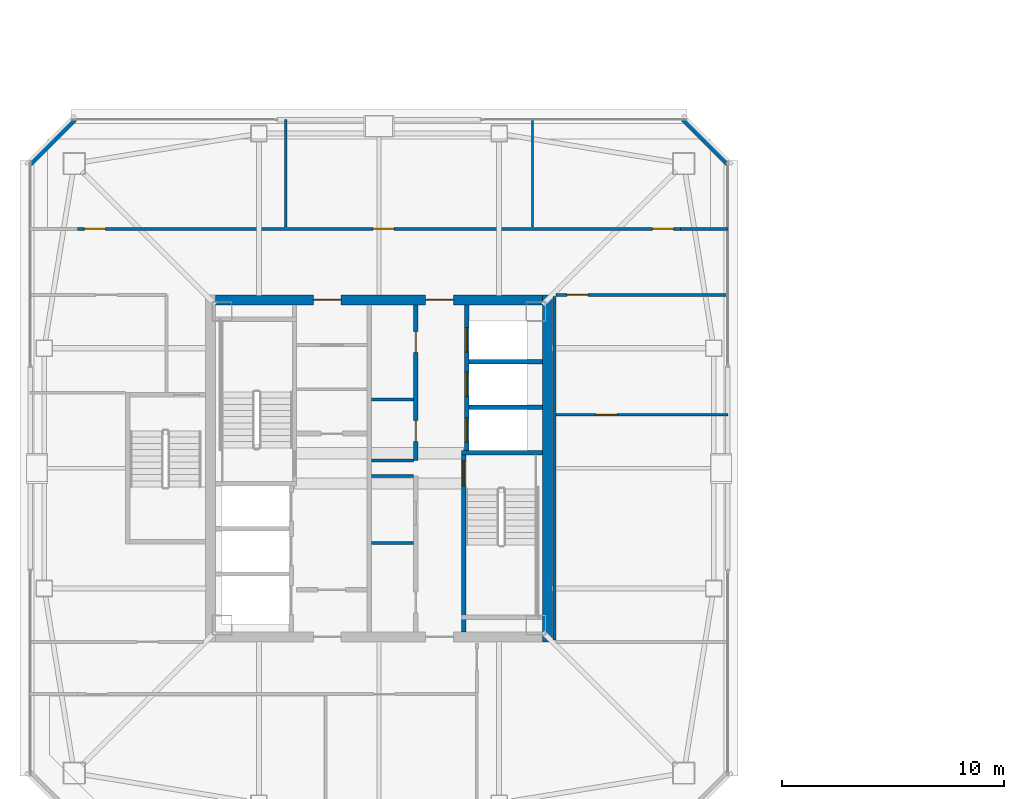
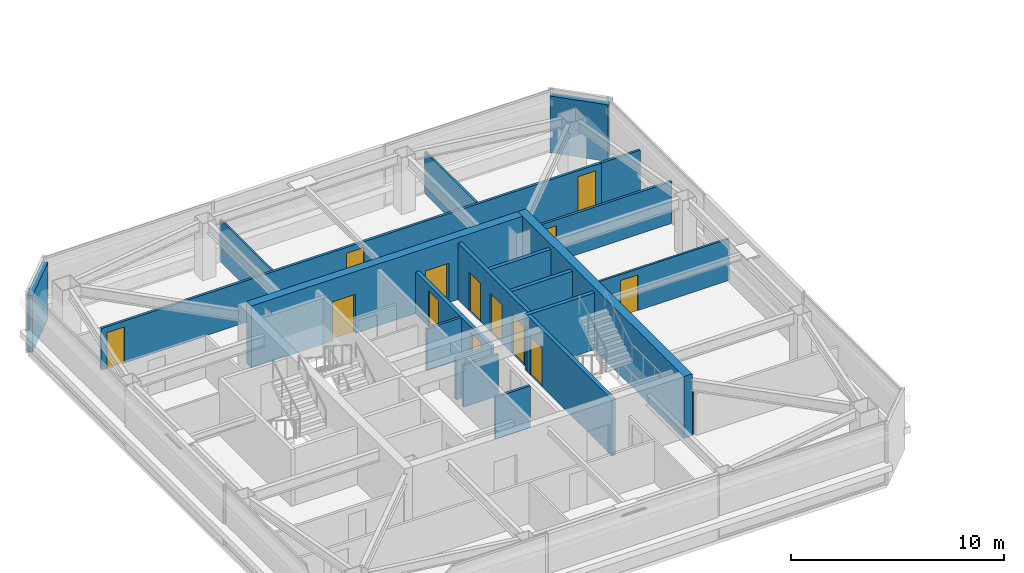
# One storey, part 30 of 39: 21 walls, 13 doors, 13 openings.
"""IFC4 building model written with IfcOpenShell, lengths in metres."""

from ifc_helpers import new_model, si_unit, direction, frame, frame_2d, origin, place, context, subcontext, project, spatial, rectangle, extrude, material, layer, layer_set, type_object, element, fill, save


model = new_model("IFC4")

# Units and contexts
model_context = context("Model", 3, precision=1e-05, world=origin(), true_north=direction((0.0, 1.0)))
body_context = subcontext(model_context, "Body", "Model", "MODEL_VIEW")
ifc_project = project(units=[si_unit("LENGTHUNIT", "METRE"), si_unit("AREAUNIT", "SQUARE_METRE"), si_unit("VOLUMEUNIT", "CUBIC_METRE"), si_unit("PLANEANGLEUNIT", "RADIAN"), si_unit("MASSUNIT", "GRAM", prefix="KILO")], contexts=[model_context])

# Site, building, storey
site_placement = place(None, origin())
site = spatial("IfcSite", under=ifc_project, at=site_placement, CompositionType="ELEMENT")
building_placement = place(site_placement, origin())
building = spatial("IfcBuilding", under=site, at=building_placement, Name="Tashvorn Skyway Center", CompositionType="ELEMENT")
storey_placement = place(building_placement, frame((0.0, 0.0, 243.25)))
storey = spatial("IfcBuildingStorey", under=building, at=storey_placement, Name="L66", CompositionType="ELEMENT", Elevation=243.25)

# Wall
ifc_material_1 = material(Name="Concrete C50/60", Category="concrete")
ifc_layer_1 = layer(ifc_material_1, 0.449951171875)
ifc_layer_set_1 = layer_set([ifc_layer_1], Name="Concrete C50/60")
wall_type_1 = type_object("IfcWallType", Name="WALL-CORE-450", PredefinedType="SHEAR", material=ifc_layer_set_1)
wall_1_placement = place(storey_placement, frame((49.574951171875, 39.800048828125, 0.0), z_axis=(0.0, 0.0, 1.0), x_axis=(0.0, -1.0, 0.0)))
element("IfcWall", 1, at=wall_1_placement, inside=storey, type_object=wall_type_1, Name="Tower 1 L66 East Core Shear Wall", PredefinedType="SHEAR", context=body_context, shape_type="SweptSolid", body=[
    extrude(rectangle(XDim=15.60009765625, YDim=0.449951171875, at=frame_2d((7.800048828125, 0.0))), origin(), (0.0, 0.0, 1.0), 3.550048828125),
])

# Wall, openings, doors
wall_2_placement = place(storey_placement, frame((34.64990234375, 39.574951171875, 0.0), z_axis=(0.0, 0.0, 1.0), x_axis=(1.0, 0.0, 0.0)))
wall_2 = element("IfcWall", 2, at=wall_2_placement, inside=storey, type_object=wall_type_1, Name="Tower 1 L66 North Core Shear Wall", PredefinedType="SHEAR", context=body_context, shape_type="SweptSolid", body=[
    extrude(rectangle(XDim=14.7001953125, YDim=0.449951171875, at=frame_2d((7.35009765625, 0.0))), origin(), (0.0, 0.0, 1.0), 3.550048828125),
])
opening_1_placement = place(wall_2_placement, frame((4.39990234375, 0.0, 0.0)))
opening_1 = element("IfcOpeningElement", 3, at=opening_1_placement, cuts=wall_2, Name="Opening D-FFL-1250", PredefinedType="OPENING", context=body_context, shape_type="SweptSolid", body=[
    extrude(rectangle(XDim=1.25, YDim=2.25, at=frame_2d((0.625, 1.125))), frame((0.0, 0.23486328125, 0.0), z_axis=(0.0, -1.0, 0.0), x_axis=(1.0, 0.0, 0.0)), (0.0, 0.0, 1.0), 0.469970703125),
])
opening_2_placement = place(wall_2_placement, frame((9.449951171875, 0.0, 0.0)))
opening_2 = element("IfcOpeningElement", 4, at=opening_2_placement, cuts=wall_2, Name="Opening D-FFL-1250", PredefinedType="OPENING", context=body_context, shape_type="SweptSolid", body=[
    extrude(rectangle(XDim=1.25, YDim=2.25, at=frame_2d((0.625, 1.125))), frame((0.0, 0.23486328125, 0.0), z_axis=(0.0, -1.0, 0.0), x_axis=(1.0, 0.0, 0.0)), (0.0, 0.0, 1.0), 0.469970703125),
])
ifc_material_2 = material(Name="Hollow galvanized steel fire door assembly", Category="steel")
door_type_1 = type_object("IfcDoorType", Name="DOOR-FFL-1250", OperationType="NOTDEFINED", PredefinedType="DOOR", material=ifc_material_2)
door_1_placement = place(opening_1_placement, origin())
door_1 = element("IfcDoor", 5, at=door_1_placement, inside=storey, type_object=door_type_1, Name="Tower 1 L66 Core North Service Lobby Door", OperationType="SINGLE_SWING_LEFT", OverallHeight=2.25, OverallWidth=1.25, PredefinedType="DOOR", context=body_context, shape_type="SweptSolid", body=[
    extrude(rectangle(XDim=1.25, YDim=2.25, at=frame_2d((0.625, 1.125))), frame((0.0, 0.02490234375, 0.0), z_axis=(0.0, -1.0, 0.0), x_axis=(1.0, 0.0, 0.0)), (0.0, 0.0, 1.0), 0.050048828125),
])
fill(opening_1, door_1)
door_2_placement = place(opening_2_placement, origin())
door_2 = element("IfcDoor", 6, at=door_2_placement, inside=storey, type_object=door_type_1, Name="Tower 1 L66 Core North Lift Lobby Door", OperationType="SINGLE_SWING_RIGHT", OverallHeight=2.25, OverallWidth=1.25, PredefinedType="DOOR", context=body_context, shape_type="SweptSolid", body=[
    extrude(rectangle(XDim=1.25, YDim=2.25, at=frame_2d((0.625, 1.125))), frame((0.0, 0.02490234375, 0.0), z_axis=(0.0, -1.0, 0.0), x_axis=(1.0, 0.0, 0.0)), (0.0, 0.0, 1.0), 0.050048828125),
])
fill(opening_2, door_2)

# Walls
ifc_material_3 = material(Name="Precast concrete C40/50", Category="concrete")
ifc_layer_2 = layer(ifc_material_3, 0.280029296875)
ifc_layer_set_2 = layer_set([ifc_layer_2], Name="Precast concrete C40/50")
wall_type_2 = type_object("IfcWallType", Name="WALL-EXT-280", PredefinedType="SOLIDWALL", material=ifc_layer_set_2)
for number, where, z_axis, x_axis, name in (
    (7, (26.300048828125, 45.699951171875, 0.0), (0.0, 0.0, 1.0), (0.707106781187, 0.707106781187, 0.0), "Tower 1 L66 NW Precast Chamfer Wall"),
    (8, (55.699951171875, 47.699951171875, 0.0), (0.0, 0.0, 1.0), (0.707106781187, -0.707106781187, 0.0), "Tower 1 L66 NE Precast Chamfer Wall"),
):
    element("IfcWall", number, at=place(storey_placement, frame(where, z_axis=z_axis, x_axis=x_axis)), inside=storey, type_object=wall_type_2, Name=name, PredefinedType="SOLIDWALL", context=body_context, shape_type="SweptSolid", body=[
        extrude(rectangle(XDim=2.828369140625, YDim=0.280029296875, at=frame_2d((1.4140625, 0.0))), origin(), (0.0, 0.0, 1.0), 3.25),
    ])
ifc_material_4 = material(Name="Gypsum board on cold-formed steel stud framing", Category="steel")
ifc_layer_3 = layer(ifc_material_4, 0.110107421875)
ifc_layer_set_3 = layer_set([ifc_layer_3], Name="Gypsum board on cold-formed steel stud framing")
wall_type_3 = type_object("IfcWallType", Name="WALL-PART-110", PredefinedType="PARTITIONING", material=ifc_layer_set_3)
for number, where, z_axis, x_axis, name in (
    (9, (37.800048828125, 42.85009765625, 0.0), (0.0, 0.0, 1.0), (0.0, 1.0, 0.0), "Tower 1 L66 North Suite Partition 1"),
    (10, (48.89990234375, 42.85009765625, 0.0), (0.0, 0.0, 1.0), (0.0, 1.0, 0.0), "Tower 1 L66 North Suite Partition 2"),
):
    element("IfcWall", number, at=place(storey_placement, frame(where, z_axis=z_axis, x_axis=x_axis)), inside=storey, type_object=wall_type_3, Name=name, PredefinedType="PARTITIONING", context=body_context, shape_type="SweptSolid", body=[
        extrude(rectangle(XDim=4.829833984375, YDim=0.110107421875, at=frame_2d((2.4150390625, 0.0))), origin(), (0.0, 0.0, 1.0), 2.39306640625),
    ])

# Wall, opening, door
wall_3_placement = place(storey_placement, frame((49.9599609375, 34.39990234375, 0.0), z_axis=(0.0, 0.0, 1.0), x_axis=(1.0, 0.0, 0.0)))
wall_3 = element("IfcWall", 11, at=wall_3_placement, inside=storey, type_object=wall_type_3, Name="Tower 1 L66 East Mid Partition", PredefinedType="PARTITIONING", context=body_context, shape_type="SweptSolid", body=[
    extrude(rectangle(XDim=7.719970703125, YDim=0.110107421875, at=frame_2d((3.85986328125, 0.0))), origin(), (0.0, 0.0, 1.0), 2.39306640625),
])
opening_3_placement = place(wall_3_placement, frame((1.800048828125, 0.0, 0.0)))
opening_3 = element("IfcOpeningElement", 12, at=opening_3_placement, cuts=wall_3, Name="Opening D-INT-950", PredefinedType="OPENING", context=body_context, shape_type="SweptSolid", body=[
    extrude(rectangle(XDim=0.949951171875, YDim=2.050048828125, at=frame_2d((0.47509765625, 1.02490234375))), frame((0.0, 0.06494140625, 0.0), z_axis=(0.0, -1.0, 0.0), x_axis=(1.0, 0.0, 0.0)), (0.0, 0.0, 1.0), 0.130126953125),
])
ifc_material_5 = material(Name="Solid-core architectural oak veneer door")
door_type_2 = type_object("IfcDoorType", Name="DOOR-INT-950", OperationType="NOTDEFINED", PredefinedType="DOOR", material=ifc_material_5)
door_3_placement = place(opening_3_placement, origin())
door_3 = element("IfcDoor", 13, at=door_3_placement, inside=storey, type_object=door_type_2, Name="Tower 1 L66 Boardroom Door", OperationType="SINGLE_SWING_RIGHT", OverallHeight=2.050048828125, OverallWidth=0.949951171875, PredefinedType="DOOR", context=body_context, shape_type="SweptSolid", body=[
    extrude(rectangle(XDim=0.949951171875, YDim=2.050048828125, at=frame_2d((0.47509765625, 1.02490234375))), frame((0.0, 0.02490234375, 0.0), z_axis=(0.0, -1.0, 0.0), x_axis=(1.0, 0.0, 0.0)), (0.0, 0.0, 1.0), 0.050048828125),
])
fill(opening_3, door_3)

# Wall, openings, doors
ifc_layer_4 = layer(ifc_material_4, 0.135009765625)
ifc_layer_set_4 = layer_set([ifc_layer_4], Name="Gypsum board on cold-formed steel stud framing")
wall_type_4 = type_object("IfcWallType", Name="WALL-PART-135", PredefinedType="PARTITIONING", material=ifc_layer_set_4)
wall_4_placement = place(storey_placement, frame((28.449951171875, 42.77001953125, 0.0), z_axis=(0.0, 0.0, 1.0), x_axis=(1.0, 0.0, 0.0)))
wall_4 = element("IfcWall", 14, at=wall_4_placement, inside=storey, type_object=wall_type_4, Name="Tower 1 L66 North Suite Wall", PredefinedType="PARTITIONING", context=body_context, shape_type="SweptSolid", body=[
    extrude(rectangle(XDim=27.10009765625, YDim=0.135009765625, at=frame_2d((13.550048828125, 0.0))), origin(), (0.0, 0.0, 1.0), 2.39306640625),
])
opening_4_placement = place(wall_4_placement, frame((0.300048828125, 0.0, 0.0)))
opening_4 = element("IfcOpeningElement", 15, at=opening_4_placement, cuts=wall_4, Name="Opening D-INT-950", PredefinedType="OPENING", context=body_context, shape_type="SweptSolid", body=[
    extrude(rectangle(XDim=0.949951171875, YDim=2.050048828125, at=frame_2d((0.47509765625, 1.02490234375))), frame((0.0, 0.077392578125, 0.0), z_axis=(0.0, -1.0, 0.0), x_axis=(1.0, 0.0, 0.0)), (0.0, 0.0, 1.0), 0.155029296875),
])
opening_5_placement = place(wall_4_placement, frame((13.282958984375, 0.0, 0.0)))
opening_5 = element("IfcOpeningElement", 16, at=opening_5_placement, cuts=wall_4, Name="Opening D-INT-950", PredefinedType="OPENING", context=body_context, shape_type="SweptSolid", body=[
    extrude(rectangle(XDim=0.949951171875, YDim=2.050048828125, at=frame_2d((0.47509765625, 1.02490234375))), frame((0.0, 0.077392578125, 0.0), z_axis=(0.0, -1.0, 0.0), x_axis=(1.0, 0.0, 0.0)), (0.0, 0.0, 1.0), 0.155029296875),
])
opening_6_placement = place(wall_4_placement, frame((25.85009765625, 0.0, 0.0)))
opening_6 = element("IfcOpeningElement", 17, at=opening_6_placement, cuts=wall_4, Name="Opening D-INT-950", PredefinedType="OPENING", context=body_context, shape_type="SweptSolid", body=[
    extrude(rectangle(XDim=0.949951171875, YDim=2.050048828125, at=frame_2d((0.47509765625, 1.02490234375))), frame((0.0, 0.077392578125, 0.0), z_axis=(0.0, -1.0, 0.0), x_axis=(1.0, 0.0, 0.0)), (0.0, 0.0, 1.0), 0.155029296875),
])
door_4_placement = place(opening_4_placement, origin())
door_4 = element("IfcDoor", 18, at=door_4_placement, inside=storey, type_object=door_type_2, Name="Tower 1 L66 Operations Control Room Door", OperationType="SINGLE_SWING_LEFT", OverallHeight=2.050048828125, OverallWidth=0.949951171875, PredefinedType="DOOR", context=body_context, shape_type="SweptSolid", body=[
    extrude(rectangle(XDim=0.949951171875, YDim=2.050048828125, at=frame_2d((0.47509765625, 1.02490234375))), frame((0.0, 0.02490234375, 0.0), z_axis=(0.0, -1.0, 0.0), x_axis=(1.0, 0.0, 0.0)), (0.0, 0.0, 1.0), 0.050048828125),
])
fill(opening_4, door_4)
door_5_placement = place(opening_5_placement, origin())
door_5 = element("IfcDoor", 19, at=door_5_placement, inside=storey, type_object=door_type_2, Name="Tower 1 L66 Operations Control Room Door", OperationType="SINGLE_SWING_RIGHT", OverallHeight=2.050048828125, OverallWidth=0.949951171875, PredefinedType="DOOR", context=body_context, shape_type="SweptSolid", body=[
    extrude(rectangle(XDim=0.949951171875, YDim=2.050048828125, at=frame_2d((0.47509765625, 1.02490234375))), frame((0.0, 0.02490234375, 0.0), z_axis=(0.0, -1.0, 0.0), x_axis=(1.0, 0.0, 0.0)), (0.0, 0.0, 1.0), 0.050048828125),
])
fill(opening_5, door_5)
door_6_placement = place(opening_6_placement, origin())
door_6 = element("IfcDoor", 20, at=door_6_placement, inside=storey, type_object=door_type_2, Name="Tower 1 L66 Catering Pantry Door", OperationType="SINGLE_SWING_LEFT", OverallHeight=2.050048828125, OverallWidth=0.949951171875, PredefinedType="DOOR", context=body_context, shape_type="SweptSolid", body=[
    extrude(rectangle(XDim=0.949951171875, YDim=2.050048828125, at=frame_2d((0.47509765625, 1.02490234375))), frame((0.0, 0.02490234375, 0.0), z_axis=(0.0, -1.0, 0.0), x_axis=(1.0, 0.0, 0.0)), (0.0, 0.0, 1.0), 0.050048828125),
])
fill(opening_6, door_6)

# Walls
wall_5_placement = place(storey_placement, frame((55.550048828125, 42.77001953125, 0.0), z_axis=(0.0, 0.0, 1.0), x_axis=(1.0, 0.0, 0.0)))
element("IfcWall", 21, at=wall_5_placement, inside=storey, type_object=wall_type_4, Name="Tower 1 L66 North-East Suite South Wall", PredefinedType="PARTITIONING", context=body_context, shape_type="SweptSolid", body=[
    extrude(rectangle(XDim=2.1298828125, YDim=0.135009765625, at=frame_2d((1.06494140625, 0.0))), origin(), (0.0, 0.0, 1.0), 2.39306640625),
])
wall_6_placement = place(storey_placement, frame((49.8798828125, 39.719970703125, 0.0), z_axis=(0.0, 0.0, 1.0), x_axis=(0.0, -1.0, 0.0)))
element("IfcWall", 22, at=wall_6_placement, inside=storey, type_object=wall_type_4, Name="Tower 1 L66 East Inner Suite Wall", PredefinedType="PARTITIONING", context=body_context, shape_type="SweptSolid", body=[
    extrude(rectangle(XDim=15.43994140625, YDim=0.135009765625, at=frame_2d((7.719970703125, 0.0))), origin(), (0.0, 0.0, 1.0), 2.39306640625),
])

# Wall, opening, door
wall_7_placement = place(storey_placement, frame((57.679931640625, 39.800048828125, 0.0), z_axis=(0.0, 0.0, 1.0), x_axis=(-1.0, 0.0, 0.0)))
wall_7 = element("IfcWall", 23, at=wall_7_placement, inside=storey, type_object=wall_type_4, Name="Tower 1 L66 East Suite North Wall", PredefinedType="PARTITIONING", context=body_context, shape_type="SweptSolid", body=[
    extrude(rectangle(XDim=7.719970703125, YDim=0.135009765625, at=frame_2d((3.85986328125, 0.0))), origin(), (0.0, 0.0, 1.0), 2.39306640625),
])
opening_7_placement = place(wall_7_placement, frame((6.280029296875, 0.0, 0.0)))
opening_7 = element("IfcOpeningElement", 24, at=opening_7_placement, cuts=wall_7, Name="Opening D-INT-950", PredefinedType="OPENING", context=body_context, shape_type="SweptSolid", body=[
    extrude(rectangle(XDim=0.949951171875, YDim=2.050048828125, at=frame_2d((0.47509765625, 1.02490234375))), frame((0.0, 0.077392578125, 0.0), z_axis=(0.0, -1.0, 0.0), x_axis=(1.0, 0.0, 0.0)), (0.0, 0.0, 1.0), 0.155029296875),
])
door_7_placement = place(opening_7_placement, origin())
door_7 = element("IfcDoor", 25, at=door_7_placement, inside=storey, type_object=door_type_2, Name="Tower 1 L66 Wellness Clinic Door", OperationType="SINGLE_SWING_LEFT", OverallHeight=2.050048828125, OverallWidth=0.949951171875, PredefinedType="DOOR", context=body_context, shape_type="SweptSolid", body=[
    extrude(rectangle(XDim=0.949951171875, YDim=2.050048828125, at=frame_2d((0.47509765625, 1.02490234375))), frame((0.0, 0.02490234375, 0.0), z_axis=(0.0, -1.0, 0.0), x_axis=(1.0, 0.0, 0.0)), (0.0, 0.0, 1.0), 0.050048828125),
])
fill(opening_7, door_7)

# Walls
ifc_layer_5 = layer(ifc_material_4, 0.135009765625)
ifc_layer_set_5 = layer_set([ifc_layer_5], Name="Gypsum board on cold-formed steel stud framing")
wall_type_5 = type_object("IfcWallType", Name="WALL-RATED-135", PredefinedType="PARTITIONING", material=ifc_layer_set_5)
for number, where, z_axis, x_axis, name in (
    (26, (41.669921875, 31.64990234375, 0.0), (0.0, 0.0, 1.0), (1.0, 0.0, 0.0), "Tower 1 L66 Core Room Partition"),
    (27, (41.669921875, 28.64990234375, 0.0), (0.0, 0.0, 1.0), (1.0, 0.0, 0.0), "Tower 1 L66 Freed Core Partition"),
    (28, (41.669921875, 32.35009765625, 0.0), (0.0, 0.0, 1.0), (1.0, 0.0, 0.0), "Tower 1 L66 Core Room Partition"),
    (29, (41.669921875, 35.10009765625, 0.0), (0.0, 0.0, 1.0), (1.0, 0.0, 0.0), "Tower 1 L66 Freed Mid-Rise Partition"),
):
    element("IfcWall", number, at=place(storey_placement, frame(where, z_axis=z_axis, x_axis=x_axis)), inside=storey, type_object=wall_type_5, Name=name, PredefinedType="PARTITIONING", context=body_context, shape_type="SweptSolid", body=[
        extrude(rectangle(XDim=1.880126953125, YDim=0.135009765625, at=frame_2d((0.93994140625, 0.0))), origin(), (0.0, 0.0, 1.0), 2.39306640625),
    ])
ifc_material_6 = material(Name="Concrete C40/50", Category="concrete")
ifc_layer_6 = layer(ifc_material_6, 0.199951171875)
ifc_layer_set_6 = layer_set([ifc_layer_6], Name="Concrete C40/50")
wall_type_6 = type_object("IfcWallType", Name="WALL-SHAFT-200", PredefinedType="SOLIDWALL", material=ifc_layer_set_6)
for number, where, z_axis, x_axis, name in (
    (30, (46.050048828125, 34.75, 0.0), (0.0, 0.0, 1.0), (1.0, 0.0, 0.0), "Tower 1 L66 High-Rise Shaft Divider"),
    (31, (46.050048828125, 36.800048828125, 0.0), (0.0, 0.0, 1.0), (1.0, 0.0, 0.0), "Tower 1 L66 High-Rise Shaft Divider"),
):
    element("IfcWall", number, at=place(storey_placement, frame(where, z_axis=z_axis, x_axis=x_axis)), inside=storey, type_object=wall_type_6, Name=name, PredefinedType="SOLIDWALL", context=body_context, shape_type="SweptSolid", body=[
        extrude(rectangle(XDim=3.300048828125, YDim=0.199951171875, at=frame_2d((1.64990234375, 0.0))), origin(), (0.0, 0.0, 1.0), 3.25),
    ])

# Wall, openings, doors
wall_8_placement = place(storey_placement, frame((43.64990234375, 32.35009765625, 0.0), z_axis=(0.0, 0.0, 1.0), x_axis=(0.0, 1.0, 0.0)))
wall_8 = element("IfcWall", 32, at=wall_8_placement, inside=storey, type_object=wall_type_6, Name="Tower 1 L66 Mid-Rise Core Wall", PredefinedType="SOLIDWALL", context=body_context, shape_type="SweptSolid", body=[
    extrude(rectangle(XDim=7.0, YDim=0.199951171875, at=frame_2d((3.5, 0.0))), origin(), (0.0, 0.0, 1.0), 2.39306640625),
])
opening_8_placement = place(wall_8_placement, frame((0.85009765625, 0.0, 0.0)))
opening_8 = element("IfcOpeningElement", 33, at=opening_8_placement, cuts=wall_8, Name="Opening D-RT-950", PredefinedType="OPENING", context=body_context, shape_type="SweptSolid", body=[
    extrude(rectangle(XDim=0.949951171875, YDim=2.050048828125, at=frame_2d((0.47509765625, 1.02490234375))), frame((0.0, 0.10986328125, 0.0), z_axis=(0.0, -1.0, 0.0), x_axis=(1.0, 0.0, 0.0)), (0.0, 0.0, 1.0), 0.219970703125),
])
opening_9_placement = place(wall_8_placement, frame((4.85009765625, 0.0, 0.0)))
opening_9 = element("IfcOpeningElement", 34, at=opening_9_placement, cuts=wall_8, Name="Opening D-RT-950", PredefinedType="OPENING", context=body_context, shape_type="SweptSolid", body=[
    extrude(rectangle(XDim=0.949951171875, YDim=2.050048828125, at=frame_2d((0.47509765625, 1.02490234375))), frame((0.0, 0.10986328125, 0.0), z_axis=(0.0, -1.0, 0.0), x_axis=(1.0, 0.0, 0.0)), (0.0, 0.0, 1.0), 0.219970703125),
])
door_type_3 = type_object("IfcDoorType", Name="DOOR-RATED-950", OperationType="NOTDEFINED", PredefinedType="DOOR", material=ifc_material_2)
door_8_placement = place(opening_8_placement, origin())
door_8 = element("IfcDoor", 35, at=door_8_placement, inside=storey, type_object=door_type_3, Name="Tower 1 L66 Core IT Room Door", OperationType="SINGLE_SWING_RIGHT", OverallHeight=2.050048828125, OverallWidth=0.949951171875, PredefinedType="DOOR", context=body_context, shape_type="SweptSolid", body=[
    extrude(rectangle(XDim=0.949951171875, YDim=2.050048828125, at=frame_2d((0.47509765625, 1.02490234375))), frame((0.0, 0.02490234375, 0.0), z_axis=(0.0, -1.0, 0.0), x_axis=(1.0, 0.0, 0.0)), (0.0, 0.0, 1.0), 0.050048828125),
])
fill(opening_8, door_8)
door_9_placement = place(opening_9_placement, origin())
door_9 = element("IfcDoor", 36, at=door_9_placement, inside=storey, type_object=door_type_3, Name="Tower 1 L66 Core Catering Pantry Door", OperationType="SINGLE_SWING_LEFT", OverallHeight=2.050048828125, OverallWidth=0.949951171875, PredefinedType="DOOR", context=body_context, shape_type="SweptSolid", body=[
    extrude(rectangle(XDim=0.949951171875, YDim=2.050048828125, at=frame_2d((0.47509765625, 1.02490234375))), frame((0.0, 0.02490234375, 0.0), z_axis=(0.0, -1.0, 0.0), x_axis=(1.0, 0.0, 0.0)), (0.0, 0.0, 1.0), 0.050048828125),
])
fill(opening_9, door_9)

# Wall, opening, door
ifc_layer_7 = layer(ifc_material_6, 0.199951171875)
ifc_layer_set_7 = layer_set([ifc_layer_7], Name="Concrete C40/50")
wall_type_7 = type_object("IfcWallType", Name="WALL-STSHF-200", PredefinedType="SHEAR", material=ifc_layer_set_7)
wall_9_placement = place(storey_placement, frame((45.800048828125, 32.800048828125, 0.0), z_axis=(0.0, 0.0, 1.0), x_axis=(0.0, -1.0, 0.0)))
wall_9 = element("IfcWall", 37, at=wall_9_placement, inside=storey, type_object=wall_type_7, Name="Tower 1 L66 Stair 2 Enclosure Wall", PredefinedType="SHEAR", context=body_context, shape_type="SweptSolid", body=[
    extrude(rectangle(XDim=8.150146484375, YDim=0.199951171875, at=frame_2d((4.0751953125, 0.0))), origin(), (0.0, 0.0, 1.0), 3.25),
])
opening_10_placement = place(wall_9_placement, frame((0.449951171875, 0.0, 0.0)))
opening_10 = element("IfcOpeningElement", 38, at=opening_10_placement, cuts=wall_9, Name="Opening D-ST-1150", PredefinedType="OPENING", context=body_context, shape_type="SweptSolid", body=[
    extrude(rectangle(XDim=1.14990234375, YDim=2.199951171875, at=frame_2d((0.574951171875, 1.10009765625))), frame((0.0, 0.10986328125, 0.0), z_axis=(0.0, -1.0, 0.0), x_axis=(1.0, 0.0, 0.0)), (0.0, 0.0, 1.0), 0.219970703125),
])
door_type_4 = type_object("IfcDoorType", Name="DOOR-STAIR-1150", OperationType="NOTDEFINED", PredefinedType="DOOR", material=ifc_material_2)
door_10_placement = place(opening_10_placement, origin())
door_10 = element("IfcDoor", 39, at=door_10_placement, inside=storey, type_object=door_type_4, Name="Tower 1 L66 Exit Stair 2 Door", OperationType="SINGLE_SWING_RIGHT", OverallHeight=2.199951171875, OverallWidth=1.14990234375, PredefinedType="DOOR", context=body_context, shape_type="SweptSolid", body=[
    extrude(rectangle(XDim=1.14990234375, YDim=2.199951171875, at=frame_2d((0.574951171875, 1.10009765625))), frame((0.0, 0.02490234375, 0.0), z_axis=(0.0, -1.0, 0.0), x_axis=(1.0, 0.0, 0.0)), (0.0, 0.0, 1.0), 0.050048828125),
])
fill(opening_10, door_10)

# Wall
wall_10_placement = place(storey_placement, frame((45.699951171875, 32.699951171875, 0.0), z_axis=(0.0, 0.0, 1.0), x_axis=(1.0, 0.0, 0.0)))
element("IfcWall", 40, at=wall_10_placement, inside=storey, type_object=wall_type_7, Name="Tower 1 L66 Stair 2 North Wall", PredefinedType="SHEAR", context=body_context, shape_type="SweptSolid", body=[
    extrude(rectangle(XDim=3.650146484375, YDim=0.199951171875, at=frame_2d((1.8251953125, 0.0))), origin(), (0.0, 0.0, 1.0), 3.25),
])

# Wall, openings, doors
wall_11_placement = place(storey_placement, frame((45.949951171875, 39.35009765625, 0.0), z_axis=(0.0, 0.0, 1.0), x_axis=(0.0, -1.0, 0.0)))
wall_11 = element("IfcWall", 41, at=wall_11_placement, inside=storey, type_object=wall_type_7, Name="Tower 1 L66 High-Rise Lift Shaft Front Wall", PredefinedType="SHEAR", context=body_context, shape_type="SweptSolid", body=[
    extrude(rectangle(XDim=6.550048828125, YDim=0.199951171875, at=frame_2d((3.27490234375, 0.0))), origin(), (0.0, 0.0, 1.0), 3.25),
])
opening_11_placement = place(wall_11_placement, frame((5.074951171875, 0.0, 0.0)))
opening_11 = element("IfcOpeningElement", 42, at=opening_11_placement, cuts=wall_11, Name="Opening LD-HR-T1-1-L66", PredefinedType="OPENING", context=body_context, shape_type="SweptSolid", body=[
    extrude(rectangle(XDim=1.10009765625, YDim=2.199951171875, at=frame_2d((0.550048828125, 1.10009765625))), frame((0.0, 0.10986328125, 0.0), z_axis=(0.0, -1.0, 0.0), x_axis=(1.0, 0.0, 0.0)), (0.0, 0.0, 1.0), 0.219970703125),
])
opening_12_placement = place(wall_11_placement, frame((3.02490234375, 0.0, 0.0)))
opening_12 = element("IfcOpeningElement", 43, at=opening_12_placement, cuts=wall_11, Name="Opening LD-HR-T1-2-L66", PredefinedType="OPENING", context=body_context, shape_type="SweptSolid", body=[
    extrude(rectangle(XDim=1.10009765625, YDim=2.199951171875, at=frame_2d((0.550048828125, 1.10009765625))), frame((0.0, 0.10986328125, 0.0), z_axis=(0.0, -1.0, 0.0), x_axis=(1.0, 0.0, 0.0)), (0.0, 0.0, 1.0), 0.219970703125),
])
opening_13_placement = place(wall_11_placement, frame((1.02490234375, 0.0, 0.0)))
opening_13 = element("IfcOpeningElement", 44, at=opening_13_placement, cuts=wall_11, Name="Opening LD-HR-T1-3-L66", PredefinedType="OPENING", context=body_context, shape_type="SweptSolid", body=[
    extrude(rectangle(XDim=1.10009765625, YDim=2.199951171875, at=frame_2d((0.550048828125, 1.10009765625))), frame((0.0, 0.10986328125, 0.0), z_axis=(0.0, -1.0, 0.0), x_axis=(1.0, 0.0, 0.0)), (0.0, 0.0, 1.0), 0.219970703125),
])
ifc_material_7 = material(Name="Stainless steel landing door", Category="steel")
door_type_5 = type_object("IfcDoorType", Name="DOOR-LIFT-1100", OperationType="SLIDING_TO_LEFT", PredefinedType="DOOR", material=ifc_material_7)
door_11_placement = place(opening_11_placement, origin())
door_11 = element("IfcDoor", 45, at=door_11_placement, inside=storey, type_object=door_type_5, Name="Lift HR-T1-1 L66 Landing Door", OperationType="SLIDING_TO_LEFT", OverallHeight=2.199951171875, OverallWidth=1.10009765625, PredefinedType="DOOR", context=body_context, shape_type="SweptSolid", body=[
    extrude(rectangle(XDim=1.10009765625, YDim=2.199951171875, at=frame_2d((0.550048828125, 1.10009765625))), frame((0.0, 0.02490234375, 0.0), z_axis=(0.0, -1.0, 0.0), x_axis=(1.0, 0.0, 0.0)), (0.0, 0.0, 1.0), 0.050048828125),
])
fill(opening_11, door_11)
door_12_placement = place(opening_12_placement, origin())
door_12 = element("IfcDoor", 46, at=door_12_placement, inside=storey, type_object=door_type_5, Name="Lift HR-T1-2 L66 Landing Door", OperationType="SLIDING_TO_LEFT", OverallHeight=2.199951171875, OverallWidth=1.10009765625, PredefinedType="DOOR", context=body_context, shape_type="SweptSolid", body=[
    extrude(rectangle(XDim=1.10009765625, YDim=2.199951171875, at=frame_2d((0.550048828125, 1.10009765625))), frame((0.0, 0.02490234375, 0.0), z_axis=(0.0, -1.0, 0.0), x_axis=(1.0, 0.0, 0.0)), (0.0, 0.0, 1.0), 0.050048828125),
])
fill(opening_12, door_12)
door_13_placement = place(opening_13_placement, origin())
door_13 = element("IfcDoor", 47, at=door_13_placement, inside=storey, type_object=door_type_5, Name="Lift HR-T1-3 L66 Landing Door", OperationType="SLIDING_TO_LEFT", OverallHeight=2.199951171875, OverallWidth=1.10009765625, PredefinedType="DOOR", context=body_context, shape_type="SweptSolid", body=[
    extrude(rectangle(XDim=1.10009765625, YDim=2.199951171875, at=frame_2d((0.550048828125, 1.10009765625))), frame((0.0, 0.02490234375, 0.0), z_axis=(0.0, -1.0, 0.0), x_axis=(1.0, 0.0, 0.0)), (0.0, 0.0, 1.0), 0.050048828125),
])
fill(opening_13, door_13)

save(model, "model.ifc")
